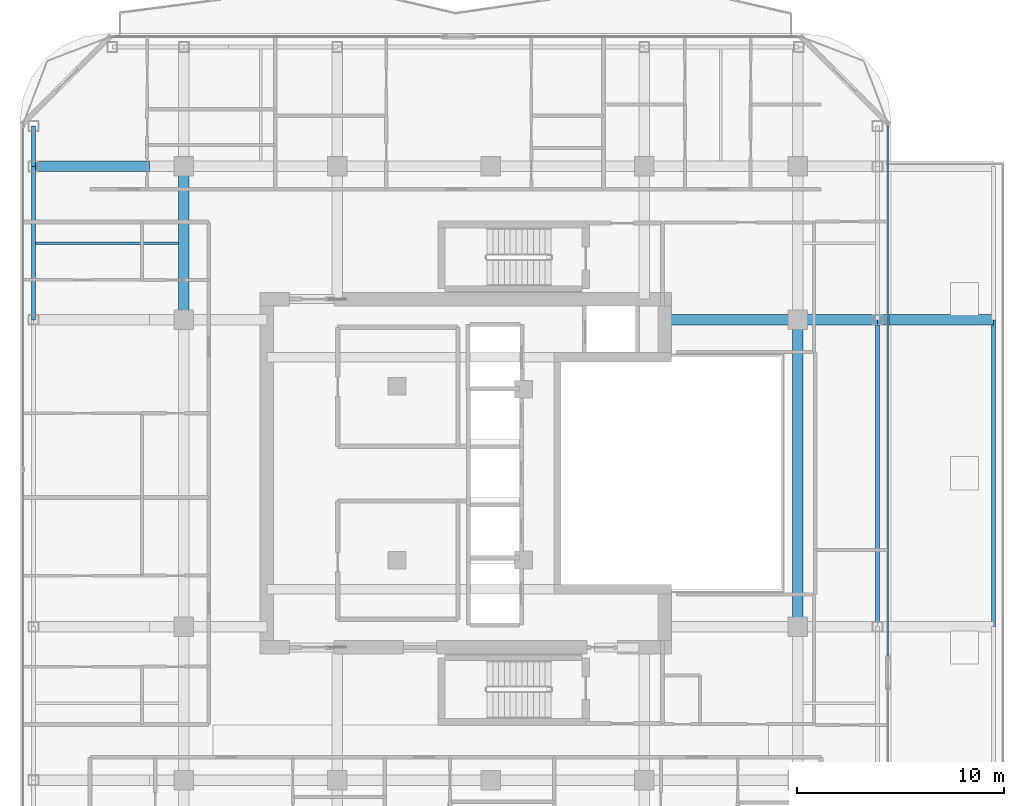
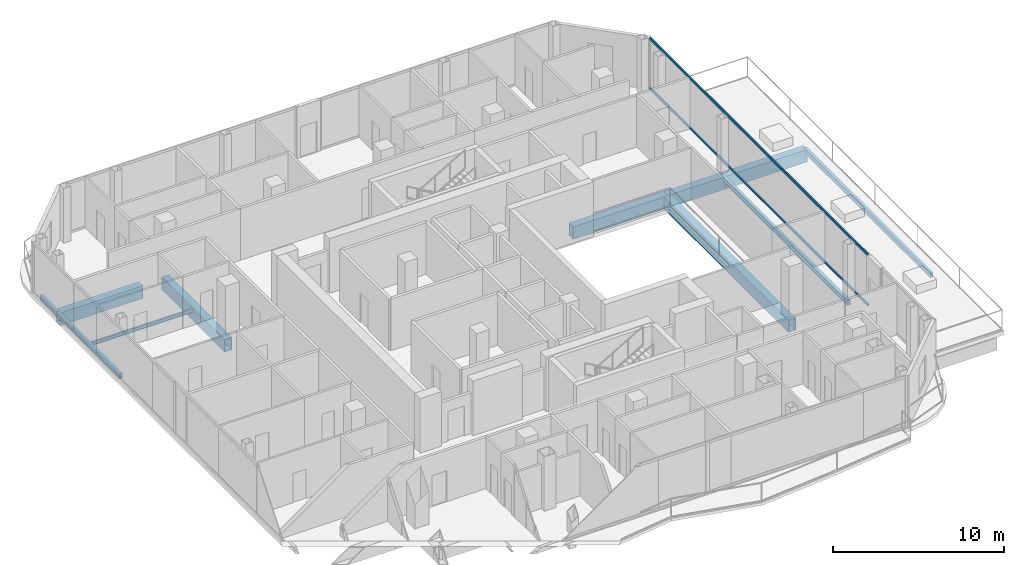
# One storey, part 10 of 24: 11 beams, 2 members, 1 element without a shape of its own.
"""IFC4 building model written with IfcOpenShell, lengths in metres."""

from ifc_helpers import new_model, si_unit, direction, frame, origin, origin_2d, place, context, subcontext, project, spatial, hollow_rectangle, i_section, extrude, material, layer, layer_set, material_profile, profile_set, type_object, element, aggregate, save


model = new_model("IFC4")

# Units and contexts
model_context = context("Model", 3, precision=1e-05, world=origin(), true_north=direction((0.0, 1.0)))
body_context = subcontext(model_context, "Body", "Model", "MODEL_VIEW")
ifc_project = project(units=[si_unit("LENGTHUNIT", "METRE"), si_unit("AREAUNIT", "SQUARE_METRE"), si_unit("VOLUMEUNIT", "CUBIC_METRE"), si_unit("PLANEANGLEUNIT", "RADIAN"), si_unit("MASSUNIT", "GRAM", prefix="KILO")], contexts=[model_context])

# Site, building, storey
site_placement = place(None, origin())
site = spatial("IfcSite", under=ifc_project, at=site_placement, CompositionType="ELEMENT")
building_placement = place(site_placement, origin())
building = spatial("IfcBuilding", under=site, at=building_placement, Name="Khorvyn Point Tower", CompositionType="ELEMENT")
storey_placement = place(building_placement, frame((0.0, 0.0, 285.89990234375)))
storey = spatial("IfcBuildingStorey", under=building, at=storey_placement, Name="L70", CompositionType="ELEMENT", Elevation=285.89990234375)

# Curtain wall, members
ifc_material_1 = material(Name="Anodised aluminium 6063-T6 and laminated Low-E glass", Category="aluminium")
ifc_layer = layer(ifc_material_1, 0.18994140625)
ifc_layer_set = layer_set([ifc_layer], Name="Stick-Built High-Wind Curtain Wall CW-SYS-04")
curtain_wall_type = type_object("IfcCurtainWallType", Name="Stick-Built High-Wind Curtain Wall CW-SYS-04", PredefinedType="NOTDEFINED", material=ifc_layer_set)
curtain_wall_placement = place(storey_placement, origin())
curtain_wall = element("IfcCurtainWall", 1, at=curtain_wall_placement, inside=storey, type_object=curtain_wall_type, Name="Curtain Wall", PredefinedType="NOTDEFINED")
ifc_material_2 = material(Name="Anodised aluminium 6063-T6", Category="aluminium")
ifc_material_profile_1 = material_profile(ifc_material_2, hollow_rectangle(XDim=0.10009765625, YDim=0.159912109375, WallThickness=0.00439453125, at=origin_2d()))
ifc_profile_set_1 = profile_set([ifc_material_profile_1], Name="Anodised aluminium 6063-T6 ALU-TRN-100x160")
member_type = type_object("IfcMemberType", Name="Anodised Aluminium 6063-T6 Transom ALU-TRN-100x160", PredefinedType="USERDEFINED", material=ifc_profile_set_1)
member_1_placement = place(storey_placement, frame((19.14990234375, 16.75, 0.050048828125), z_axis=(0.0, -1.0, 0.0), x_axis=(1.0, 0.0, 0.0)))
member_1 = element("IfcMember", 2, at=member_1_placement, type_object=member_type, Name="Transom", ObjectType="TRANSOM", PredefinedType="USERDEFINED", context=body_context, shape_type="SweptSolid", body=[
    extrude(hollow_rectangle(XDim=0.10009765625, YDim=0.159912109375, WallThickness=0.00439453125, at=origin_2d()), origin(), (0.0, 0.0, 1.0), 25.534912109375),
])
member_2_placement = place(storey_placement, frame((19.14990234375, 16.75, 3.630126953125), z_axis=(0.0, -1.0, 0.0), x_axis=(1.0, 0.0, 0.0)))
member_2 = element("IfcMember", 3, at=member_2_placement, type_object=member_type, Name="Transom", ObjectType="TRANSOM", PredefinedType="USERDEFINED", context=body_context, shape_type="SweptSolid", body=[
    extrude(hollow_rectangle(XDim=0.10009765625, YDim=0.159912109375, WallThickness=0.00439453125, at=origin_2d()), origin(), (0.0, 0.0, 1.0), 25.534912109375),
])
aggregate(curtain_wall, [member_1, member_2])

# Beams
ifc_material_3 = material(Name="Steel S355", Category="steel")
ifc_material_profile_2 = material_profile(ifc_material_3, i_section(OverallWidth=0.125, OverallDepth=0.25, WebThickness=0.006103515625, FlangeThickness=0.009033203125, at=origin_2d()))
ifc_profile_set_2 = profile_set([ifc_material_profile_2], Name="Steel S355 H250x125x6x9")
beam_type_1 = type_object("IfcBeamType", Name="Steel S355 Joist H250x125x6x9", PredefinedType="JOIST", material=ifc_profile_set_2)
beam_1_placement = place(storey_placement, frame((-21.949951171875, 11.10009765625, -0.40478515625), z_axis=(1.0, 0.0, 0.0), x_axis=(0.0, 1.0, 0.0)))
element("IfcBeam", 4, at=beam_1_placement, inside=storey, type_object=beam_type_1, Name="Beam", PredefinedType="JOIST", context=body_context, shape_type="SweptSolid", body=[
    extrude(i_section(OverallWidth=0.125, OverallDepth=0.25, WebThickness=0.006103515625, FlangeThickness=0.009033203125, at=origin_2d()), origin(), (0.0, 0.0, 1.0), 6.89990234375),
])
ifc_material_profile_3 = material_profile(ifc_material_3, hollow_rectangle(XDim=0.199951171875, YDim=0.35009765625, WallThickness=0.013916015625, at=origin_2d()))
ifc_profile_set_3 = profile_set([ifc_material_profile_3], Name="Steel S355 RHS350x200x14")
beam_type_2 = type_object("IfcBeamType", Name="Steel S355 Spandrel RHS350x200x14", PredefinedType="SPANDREL", material=ifc_profile_set_3)
beam_2_placement = place(storey_placement, frame((-22.050048828125, 7.39990234375, -0.454833984375), z_axis=(0.0, 1.0, 0.0), x_axis=(-1.0, 0.0, 0.0)))
element("IfcBeam", 5, at=beam_2_placement, inside=storey, type_object=beam_type_2, Name="Beam", PredefinedType="SPANDREL", context=body_context, shape_type="SweptSolid", body=[
    extrude(hollow_rectangle(XDim=0.199951171875, YDim=0.35009765625, WallThickness=0.013916015625, at=origin_2d()), origin(), (0.0, 0.0, 1.0), 7.400146484375),
])
beam_3_placement = place(storey_placement, frame((-22.050048828125, 14.800048828125, -0.454833984375), z_axis=(0.0, 1.0, 0.0), x_axis=(-1.0, 0.0, 0.0)))
element("IfcBeam", 6, at=beam_3_placement, inside=storey, type_object=beam_type_2, Name="Beam", PredefinedType="SPANDREL", context=body_context, shape_type="SweptSolid", body=[
    extrude(hollow_rectangle(XDim=0.199951171875, YDim=0.35009765625, WallThickness=0.013916015625, at=origin_2d()), origin(), (0.0, 0.0, 1.0), 1.949951171875),
])
for number, where, z_axis, x_axis, name in (
    (7, (18.64990234375, -7.39990234375, -0.454833984375), (0.0, 1.0, 0.0), (-1.0, 0.0, 0.0), "Beam"),
    (8, (24.25, -7.39990234375, -0.454833984375), (0.0, 1.0, 0.0), (-1.0, 0.0, 0.0), "Beam"),
):
    element("IfcBeam", number, at=place(storey_placement, frame(where, z_axis=z_axis, x_axis=x_axis)), inside=storey, type_object=beam_type_2, Name=name, PredefinedType="SPANDREL", context=body_context, shape_type="SweptSolid", body=[
        extrude(hollow_rectangle(XDim=0.199951171875, YDim=0.35009765625, WallThickness=0.013916015625, at=origin_2d()), origin(), (0.0, 0.0, 1.0), 14.7998046875),
    ])
ifc_material_4 = material(Name="Steel S450", Category="steel")
ifc_material_profile_4 = material_profile(ifc_material_4, hollow_rectangle(XDim=0.5, YDim=0.89990234375, WallThickness=0.0400390625, at=origin_2d()))
ifc_profile_set_4 = profile_set([ifc_material_profile_4], Name="Steel S450 BOX900x500x40")
beam_type_3 = type_object("IfcBeamType", Name="Steel S450 Beam BOX900x500x40", PredefinedType="BEAM", material=ifc_profile_set_4)
beam_4_placement = place(storey_placement, frame((-22.050048828125, 14.800048828125, -0.72998046875), z_axis=(1.0, 0.0, 0.0), x_axis=(0.0, 1.0, 0.0)))
element("IfcBeam", 9, at=beam_4_placement, inside=storey, type_object=beam_type_3, Name="L70 Radial Transfer Girder", PredefinedType="BEAM", context=body_context, shape_type="SweptSolid", body=[
    extrude(hollow_rectangle(XDim=0.5, YDim=0.89990234375, WallThickness=0.0400390625, at=origin_2d()), origin(), (0.0, 0.0, 1.0), 5.60009765625),
])
beam_5_placement = place(storey_placement, frame((8.39990234375, 7.39990234375, -0.72998046875), z_axis=(1.0, 0.0, 0.0), x_axis=(0.0, 1.0, 0.0)))
element("IfcBeam", 10, at=beam_5_placement, inside=storey, type_object=beam_type_3, Name="Beam", PredefinedType="BEAM", context=body_context, shape_type="SweptSolid", body=[
    extrude(hollow_rectangle(XDim=0.5, YDim=0.89990234375, WallThickness=0.0400390625, at=origin_2d()), origin(), (0.0, 0.0, 1.0), 6.400146484375),
])
beam_6_placement = place(storey_placement, frame((14.800048828125, 7.39990234375, -0.72998046875), z_axis=(1.0, 0.0, 0.0), x_axis=(0.0, 1.0, 0.0)))
element("IfcBeam", 11, at=beam_6_placement, inside=storey, type_object=beam_type_3, Name="Beam", PredefinedType="BEAM", context=body_context, shape_type="SweptSolid", body=[
    extrude(hollow_rectangle(XDim=0.5, YDim=0.89990234375, WallThickness=0.0400390625, at=origin_2d()), origin(), (0.0, 0.0, 1.0), 3.849853515625),
])
beam_7_placement = place(storey_placement, frame((18.64990234375, 7.39990234375, -0.72998046875), z_axis=(1.0, 0.0, 0.0), x_axis=(0.0, 1.0, 0.0)))
element("IfcBeam", 12, at=beam_7_placement, inside=storey, type_object=beam_type_3, Name="Beam", PredefinedType="BEAM", context=body_context, shape_type="SweptSolid", body=[
    extrude(hollow_rectangle(XDim=0.5, YDim=0.89990234375, WallThickness=0.0400390625, at=origin_2d()), origin(), (0.0, 0.0, 1.0), 5.60009765625),
])
beam_8_placement = place(storey_placement, frame((-14.800048828125, 7.39990234375, -0.72998046875), z_axis=(0.0, 1.0, 0.0), x_axis=(-1.0, 0.0, 0.0)))
element("IfcBeam", 13, at=beam_8_placement, inside=storey, type_object=beam_type_3, Name="L70 Radial Transfer Girder", PredefinedType="BEAM", context=body_context, shape_type="SweptSolid", body=[
    extrude(hollow_rectangle(XDim=0.5, YDim=0.89990234375, WallThickness=0.0400390625, at=origin_2d()), origin(), (0.0, 0.0, 1.0), 7.400146484375),
])
beam_9_placement = place(storey_placement, frame((14.800048828125, -7.39990234375, -0.72998046875), z_axis=(0.0, 1.0, 0.0), x_axis=(-1.0, 0.0, 0.0)))
element("IfcBeam", 14, at=beam_9_placement, inside=storey, type_object=beam_type_3, Name="L70 Radial Transfer Girder", PredefinedType="BEAM", context=body_context, shape_type="SweptSolid", body=[
    extrude(hollow_rectangle(XDim=0.5, YDim=0.89990234375, WallThickness=0.0400390625, at=origin_2d()), origin(), (0.0, 0.0, 1.0), 14.7998046875),
])

save(model, "model.ifc")
